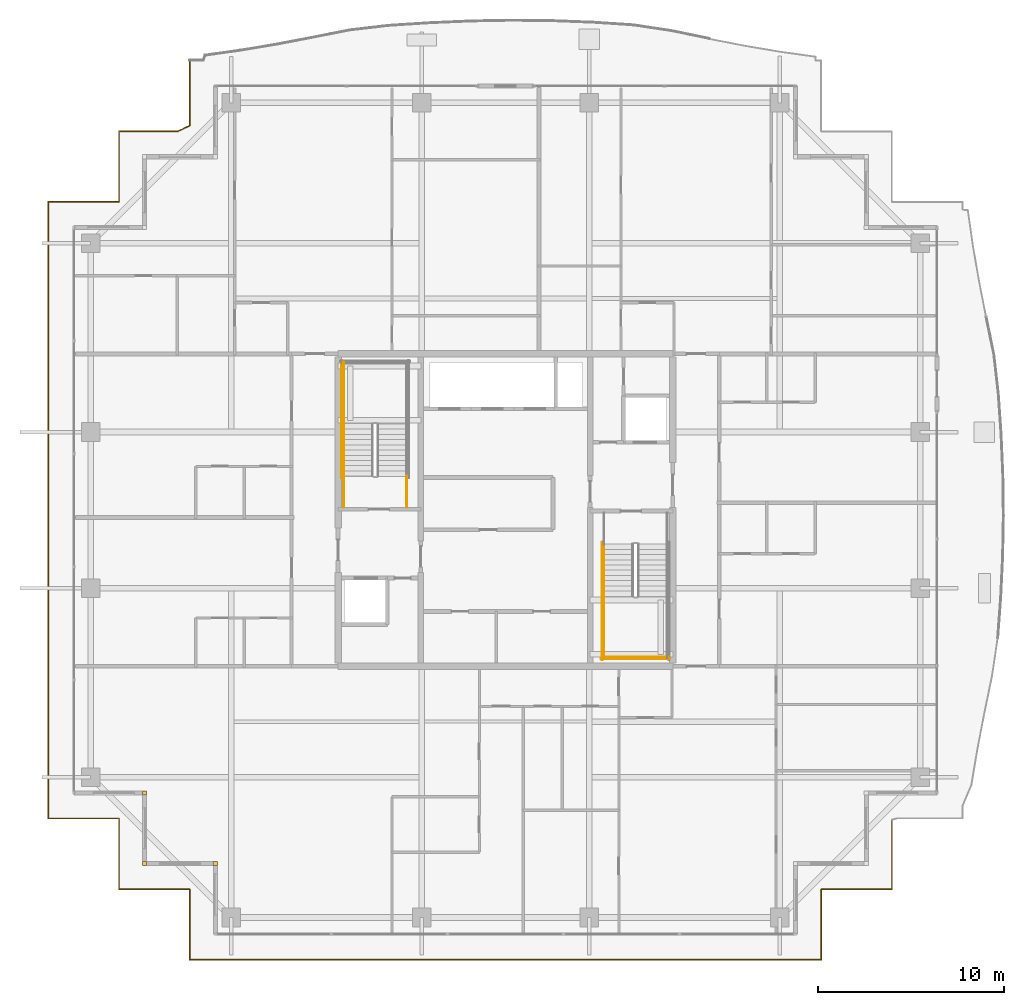
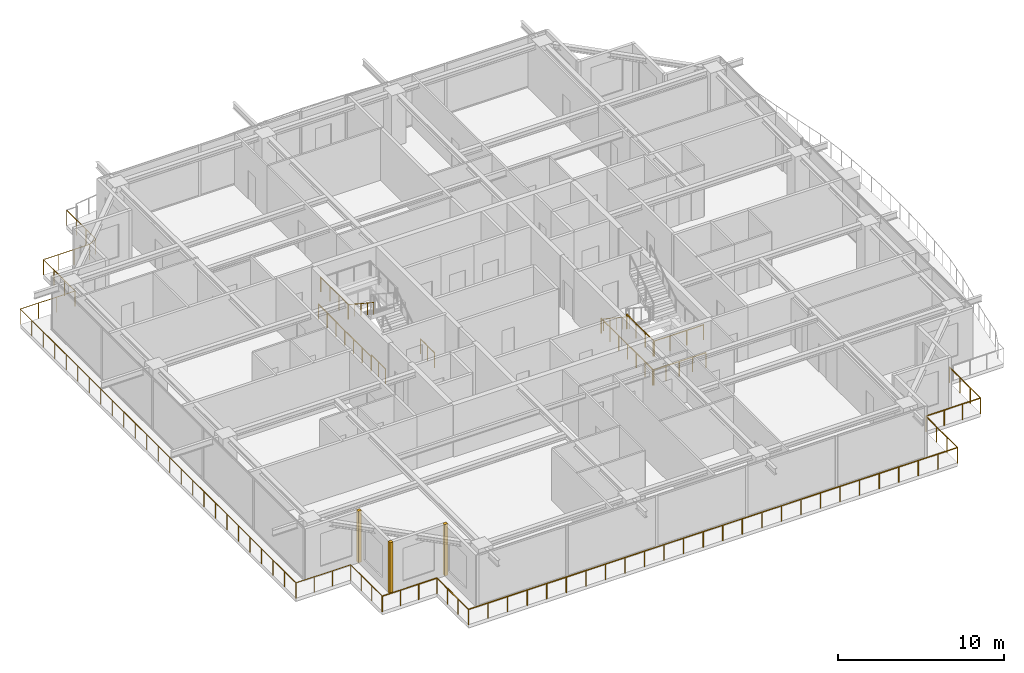
# One storey, part 35 of 39: 12 railings, 3 coverings.
"""IFC4 building model written with IfcOpenShell, lengths in metres."""

from ifc_helpers import new_model, si_unit, direction, frame, origin, origin_2d, place, context, subcontext, project, spatial, rectangle, circle, extrude, source, transform, mapped, material, layer, layer_set, type_object, element, save


model = new_model("IFC4")

# Units and contexts
model_context = context("Model", 3, precision=1e-05, world=origin(), true_north=direction((0.0, 1.0)))
body_context = subcontext(model_context, "Body", "Model", "MODEL_VIEW")
ifc_project = project(units=[si_unit("LENGTHUNIT", "METRE"), si_unit("AREAUNIT", "SQUARE_METRE"), si_unit("VOLUMEUNIT", "CUBIC_METRE"), si_unit("PLANEANGLEUNIT", "RADIAN"), si_unit("MASSUNIT", "GRAM", prefix="KILO")], contexts=[model_context])

# Site, building, storey
site_placement = place(None, origin())
site = spatial("IfcSite", under=ifc_project, at=site_placement, CompositionType="ELEMENT")
building_placement = place(site_placement, origin())
building = spatial("IfcBuilding", under=site, at=building_placement, Name="Serunith Strait Residences", CompositionType="ELEMENT")
storey_placement = place(building_placement, frame((0.0, 0.0, 329.89990234375)))
storey = spatial("IfcBuildingStorey", under=building, at=storey_placement, Name="L82", CompositionType="ELEMENT", Elevation=329.89990234375)

# Railings
ifc_material_1 = material(Name="Stainless Steel & Laminated Glass Balustrade", Category="steel")
railing_type_1 = type_object("IfcRailingType", Name="RLG-BALC-1150", PredefinedType="BALUSTRADE", material=ifc_material_1)
railing_1_placement = place(storey_placement, frame((53.179931640625, 8.547607421875, -0.0498046875)))
element("IfcRailing", 1, at=railing_1_placement, inside=storey, type_object=railing_type_1, Name="L82 Swirling Balcony Perimeter Balustrade 7", PredefinedType="BALUSTRADE", context=body_context, shape_type="SweptSolid", body=[
    extrude(circle(Radius=0.02392578125, at=origin_2d()), frame((0.0, -0.001953125, 1.1259765625), z_axis=(0.0, -1.0, 0.0), x_axis=(1.0, 0.0, 0.0)), (0.0, 0.0, 1.0), 3.7236328125),
    extrude(circle(Radius=0.02392578125, at=origin_2d()), frame((-0.001953125, -3.7275390625, 1.1259765625), z_axis=(-1.0, 0.0, 0.0), x_axis=(0.0, -1.0, 0.0)), (0.0, 0.0, 1.0), 3.783447265625),
    extrude(circle(Radius=0.02392578125, at=origin_2d()), frame((-3.800048828125, -3.734375, 1.1259765625), z_axis=(0.0, -1.0, 0.0), x_axis=(1.0, 0.0, 0.0)), (0.0, 0.0, 1.0), 3.791259765625),
    extrude(circle(Radius=0.02392578125, at=origin_2d()), frame((-3.802001953125, -7.527587890625, 1.1259765625), z_axis=(-1.0, 0.0, 0.0), x_axis=(0.0, -1.0, 0.0)), (0.0, 0.0, 1.0), 33.9560546875),
    extrude(circle(Radius=0.02392578125, at=origin_2d()), frame((-37.760009765625, -7.525634765625, 1.1259765625), z_axis=(0.0, 1.0, 0.0), x_axis=(-1.0, 0.0, 0.0)), (0.0, 0.0, 1.0), 3.796142578125),
    extrude(circle(Radius=0.02392578125, at=origin_2d()), frame((-37.761962890625, -3.7275390625, 1.1259765625), z_axis=(-1.0, 0.0, 0.0), x_axis=(0.0, -1.0, 0.0)), (0.0, 0.0, 1.0), 3.7958984375),
    extrude(circle(Radius=0.02099609375, at=origin_2d()), origin(), (0.0, 0.0, 1.0), 1.099853515625),
    extrude(circle(Radius=0.02099609375, at=origin_2d()), frame((0.0, -1.242431640625, 0.0)), (0.0, 0.0, 1.0), 1.099853515625),
    extrude(circle(Radius=0.02099609375, at=origin_2d()), frame((0.0, -2.485107421875, 0.0)), (0.0, 0.0, 1.0), 1.099853515625),
    extrude(circle(Radius=0.02099609375, at=origin_2d()), frame((0.0, -3.7275390625, 0.0)), (0.0, 0.0, 1.0), 1.099853515625),
    extrude(circle(Radius=0.02099609375, at=origin_2d()), frame((-1.262451171875, -3.7275390625, 0.0)), (0.0, 0.0, 1.0), 1.099853515625),
    extrude(circle(Radius=0.02099609375, at=origin_2d()), frame((-2.52490234375, -3.7275390625, 0.0)), (0.0, 0.0, 1.0), 1.099853515625),
    extrude(circle(Radius=0.02099609375, at=origin_2d()), frame((-3.800048828125, -3.732421875, 0.0)), (0.0, 0.0, 1.0), 1.099853515625),
    extrude(circle(Radius=0.02099609375, at=origin_2d()), frame((-3.800048828125, -4.99755859375, 0.0)), (0.0, 0.0, 1.0), 1.099853515625),
    extrude(circle(Radius=0.02099609375, at=origin_2d()), frame((-3.800048828125, -6.262451171875, 0.0)), (0.0, 0.0, 1.0), 1.099853515625),
    extrude(circle(Radius=0.02099609375, at=origin_2d()), frame((-3.800048828125, -7.527587890625, 0.0)), (0.0, 0.0, 1.0), 1.099853515625),
    extrude(circle(Radius=0.02099609375, at=origin_2d()), frame((-5.158447265625, -7.527587890625, 0.0)), (0.0, 0.0, 1.0), 1.099853515625),
    extrude(circle(Radius=0.02099609375, at=origin_2d()), frame((-6.516845703125, -7.527587890625, 0.0)), (0.0, 0.0, 1.0), 1.099853515625),
    extrude(circle(Radius=0.02099609375, at=origin_2d()), frame((-7.875244140625, -7.527587890625, 0.0)), (0.0, 0.0, 1.0), 1.099853515625),
    extrude(circle(Radius=0.02099609375, at=origin_2d()), frame((-9.233642578125, -7.527587890625, 0.0)), (0.0, 0.0, 1.0), 1.099853515625),
    extrude(circle(Radius=0.02099609375, at=origin_2d()), frame((-10.592041015625, -7.527587890625, 0.0)), (0.0, 0.0, 1.0), 1.099853515625),
    extrude(circle(Radius=0.02099609375, at=origin_2d()), frame((-11.950439453125, -7.527587890625, 0.0)), (0.0, 0.0, 1.0), 1.099853515625),
    extrude(circle(Radius=0.02099609375, at=origin_2d()), frame((-13.308837890625, -7.527587890625, 0.0)), (0.0, 0.0, 1.0), 1.099853515625),
    extrude(circle(Radius=0.02099609375, at=origin_2d()), frame((-14.667236328125, -7.527587890625, 0.0)), (0.0, 0.0, 1.0), 1.099853515625),
    extrude(circle(Radius=0.02099609375, at=origin_2d()), frame((-16.025634765625, -7.527587890625, 0.0)), (0.0, 0.0, 1.0), 1.099853515625),
    extrude(circle(Radius=0.02099609375, at=origin_2d()), frame((-17.384033203125, -7.527587890625, 0.0)), (0.0, 0.0, 1.0), 1.099853515625),
    extrude(circle(Radius=0.02099609375, at=origin_2d()), frame((-18.742431640625, -7.527587890625, 0.0)), (0.0, 0.0, 1.0), 1.099853515625),
    extrude(circle(Radius=0.02099609375, at=origin_2d()), frame((-20.100830078125, -7.527587890625, 0.0)), (0.0, 0.0, 1.0), 1.099853515625),
    extrude(circle(Radius=0.02099609375, at=origin_2d()), frame((-21.459228515625, -7.527587890625, 0.0)), (0.0, 0.0, 1.0), 1.099853515625),
    extrude(circle(Radius=0.02099609375, at=origin_2d()), frame((-22.817626953125, -7.527587890625, 0.0)), (0.0, 0.0, 1.0), 1.099853515625),
    extrude(circle(Radius=0.02099609375, at=origin_2d()), frame((-24.176025390625, -7.527587890625, 0.0)), (0.0, 0.0, 1.0), 1.099853515625),
    extrude(circle(Radius=0.02099609375, at=origin_2d()), frame((-25.534423828125, -7.527587890625, 0.0)), (0.0, 0.0, 1.0), 1.099853515625),
    extrude(circle(Radius=0.02099609375, at=origin_2d()), frame((-26.892822265625, -7.527587890625, 0.0)), (0.0, 0.0, 1.0), 1.099853515625),
    extrude(circle(Radius=0.02099609375, at=origin_2d()), frame((-28.251220703125, -7.527587890625, 0.0)), (0.0, 0.0, 1.0), 1.099853515625),
    extrude(circle(Radius=0.02099609375, at=origin_2d()), frame((-29.609619140625, -7.527587890625, 0.0)), (0.0, 0.0, 1.0), 1.099853515625),
    extrude(circle(Radius=0.02099609375, at=origin_2d()), frame((-30.968017578125, -7.527587890625, 0.0)), (0.0, 0.0, 1.0), 1.099853515625),
    extrude(circle(Radius=0.02099609375, at=origin_2d()), frame((-32.326416015625, -7.527587890625, 0.0)), (0.0, 0.0, 1.0), 1.099853515625),
    extrude(circle(Radius=0.02099609375, at=origin_2d()), frame((-33.684814453125, -7.527587890625, 0.0)), (0.0, 0.0, 1.0), 1.099853515625),
    extrude(circle(Radius=0.02099609375, at=origin_2d()), frame((-35.043212890625, -7.527587890625, 0.0)), (0.0, 0.0, 1.0), 1.099853515625),
    extrude(circle(Radius=0.02099609375, at=origin_2d()), frame((-36.401611328125, -7.527587890625, 0.0)), (0.0, 0.0, 1.0), 1.099853515625),
    extrude(circle(Radius=0.02099609375, at=origin_2d()), frame((-37.760009765625, -7.527587890625, 0.0)), (0.0, 0.0, 1.0), 1.099853515625),
    extrude(circle(Radius=0.02099609375, at=origin_2d()), frame((-37.760009765625, -6.260986328125, 0.0)), (0.0, 0.0, 1.0), 1.099853515625),
    extrude(circle(Radius=0.02099609375, at=origin_2d()), frame((-37.760009765625, -4.994140625, 0.0)), (0.0, 0.0, 1.0), 1.099853515625),
    extrude(circle(Radius=0.02099609375, at=origin_2d()), frame((-37.760009765625, -3.7275390625, 0.0)), (0.0, 0.0, 1.0), 1.099853515625),
    extrude(circle(Radius=0.02099609375, at=origin_2d()), frame((-39.026611328125, -3.7275390625, 0.0)), (0.0, 0.0, 1.0), 1.099853515625),
    extrude(circle(Radius=0.02099609375, at=origin_2d()), frame((-40.293212890625, -3.7275390625, 0.0)), (0.0, 0.0, 1.0), 1.099853515625),
    extrude(circle(Radius=0.02099609375, at=origin_2d()), frame((-41.559814453125, -3.7275390625, 0.0)), (0.0, 0.0, 1.0), 1.099853515625),
])
railing_2_placement = place(storey_placement, frame((11.6201171875, 4.820068359375, -0.0498046875)))
element("IfcRailing", 2, at=railing_2_placement, inside=storey, type_object=railing_type_1, Name="L82 Swirling Balcony Perimeter Balustrade 8", PredefinedType="BALUSTRADE", context=body_context, shape_type="SweptSolid", body=[
    extrude(circle(Radius=0.02392578125, at=origin_2d()), frame((0.0, 0.001953125, 1.1259765625), z_axis=(0.0, 1.0, 0.0), x_axis=(-1.0, 0.0, 0.0)), (0.0, 0.0, 1.0), 3.796142578125),
    extrude(circle(Radius=0.02392578125, at=origin_2d()), frame((-0.001953125, 3.800048828125, 1.1259765625), z_axis=(-1.0, 0.0, 0.0), x_axis=(0.0, -1.0, 0.0)), (0.0, 0.0, 1.0), 3.796142578125),
    extrude(circle(Radius=0.02392578125, at=origin_2d()), frame((-3.800048828125, 3.802001953125, 1.1259765625), z_axis=(0.0, 1.0, 0.0), x_axis=(-1.0, 0.0, 0.0)), (0.0, 0.0, 1.0), 33.156005859375),
    extrude(circle(Radius=0.02392578125, at=origin_2d()), frame((-3.798095703125, 36.9599609375, 1.1259765625), z_axis=(1.0, 0.0, 0.0), x_axis=(0.0, 1.0, 0.0)), (0.0, 0.0, 1.0), 3.796142578125),
    extrude(circle(Radius=0.02392578125, at=origin_2d()), frame((0.0, 36.9619140625, 1.1259765625), z_axis=(0.0, 1.0, 0.0), x_axis=(-1.0, 0.0, 0.0)), (0.0, 0.0, 1.0), 3.796142578125),
    extrude(circle(Radius=0.02392578125, at=origin_2d()), frame((0.001953125, 40.760009765625, 1.1259765625), z_axis=(1.0, 0.0, 0.0), x_axis=(0.0, 1.0, 0.0)), (0.0, 0.0, 1.0), 3.1845703125),
    extrude(circle(Radius=0.02392578125, at=origin_2d()), frame((3.190185546875, 40.7607421875, 1.1259765625), z_axis=(0.904728609508, 0.425988430755, 0.0), x_axis=(-0.425988430755, 0.904728609508, 0.0)), (0.0, 0.0, 1.0), 0.671630859375),
    extrude(circle(Radius=0.02392578125, at=origin_2d()), frame((3.7998046875, 41.0498046875, 1.1259765625), z_axis=(0.0, 1.0, 0.0), x_axis=(-1.0, 0.0, 0.0)), (0.0, 0.0, 1.0), 3.508056640625),
    extrude(circle(Radius=0.02099609375, at=origin_2d()), origin(), (0.0, 0.0, 1.0), 1.099853515625),
    extrude(circle(Radius=0.02099609375, at=origin_2d()), frame((0.0, 1.2666015625, 0.0)), (0.0, 0.0, 1.0), 1.099853515625),
    extrude(circle(Radius=0.02099609375, at=origin_2d()), frame((0.0, 2.533447265625, 0.0)), (0.0, 0.0, 1.0), 1.099853515625),
    extrude(circle(Radius=0.02099609375, at=origin_2d()), frame((0.0, 3.800048828125, 0.0)), (0.0, 0.0, 1.0), 1.099853515625),
    extrude(circle(Radius=0.02099609375, at=origin_2d()), frame((-1.2666015625, 3.800048828125, 0.0)), (0.0, 0.0, 1.0), 1.099853515625),
    extrude(circle(Radius=0.02099609375, at=origin_2d()), frame((-2.533447265625, 3.800048828125, 0.0)), (0.0, 0.0, 1.0), 1.099853515625),
    extrude(circle(Radius=0.02099609375, at=origin_2d()), frame((-3.800048828125, 3.800048828125, 0.0)), (0.0, 0.0, 1.0), 1.099853515625),
    extrude(circle(Radius=0.02099609375, at=origin_2d()), frame((-3.800048828125, 5.181640625, 0.0)), (0.0, 0.0, 1.0), 1.099853515625),
    extrude(circle(Radius=0.02099609375, at=origin_2d()), frame((-3.800048828125, 6.5634765625, 0.0)), (0.0, 0.0, 1.0), 1.099853515625),
    extrude(circle(Radius=0.02099609375, at=origin_2d()), frame((-3.800048828125, 7.945068359375, 0.0)), (0.0, 0.0, 1.0), 1.099853515625),
    extrude(circle(Radius=0.02099609375, at=origin_2d()), frame((-3.800048828125, 9.32666015625, 0.0)), (0.0, 0.0, 1.0), 1.099853515625),
    extrude(circle(Radius=0.02099609375, at=origin_2d()), frame((-3.800048828125, 10.708251953125, 0.0)), (0.0, 0.0, 1.0), 1.099853515625),
    extrude(circle(Radius=0.02099609375, at=origin_2d()), frame((-3.800048828125, 12.090087890625, 0.0)), (0.0, 0.0, 1.0), 1.099853515625),
    extrude(circle(Radius=0.02099609375, at=origin_2d()), frame((-3.800048828125, 13.4716796875, 0.0)), (0.0, 0.0, 1.0), 1.099853515625),
    extrude(circle(Radius=0.02099609375, at=origin_2d()), frame((-3.800048828125, 14.853271484375, 0.0)), (0.0, 0.0, 1.0), 1.099853515625),
    extrude(circle(Radius=0.02099609375, at=origin_2d()), frame((-3.800048828125, 16.235107421875, 0.0)), (0.0, 0.0, 1.0), 1.099853515625),
    extrude(circle(Radius=0.02099609375, at=origin_2d()), frame((-3.800048828125, 17.61669921875, 0.0)), (0.0, 0.0, 1.0), 1.099853515625),
    extrude(circle(Radius=0.02099609375, at=origin_2d()), frame((-3.800048828125, 18.998291015625, 0.0)), (0.0, 0.0, 1.0), 1.099853515625),
    extrude(circle(Radius=0.02099609375, at=origin_2d()), frame((-3.800048828125, 20.3798828125, 0.0)), (0.0, 0.0, 1.0), 1.099853515625),
    extrude(circle(Radius=0.02099609375, at=origin_2d()), frame((-3.800048828125, 21.76171875, 0.0)), (0.0, 0.0, 1.0), 1.099853515625),
    extrude(circle(Radius=0.02099609375, at=origin_2d()), frame((-3.800048828125, 23.143310546875, 0.0)), (0.0, 0.0, 1.0), 1.099853515625),
    extrude(circle(Radius=0.02099609375, at=origin_2d()), frame((-3.800048828125, 24.52490234375, 0.0)), (0.0, 0.0, 1.0), 1.099853515625),
    extrude(circle(Radius=0.02099609375, at=origin_2d()), frame((-3.800048828125, 25.90673828125, 0.0)), (0.0, 0.0, 1.0), 1.099853515625),
    extrude(circle(Radius=0.02099609375, at=origin_2d()), frame((-3.800048828125, 27.288330078125, 0.0)), (0.0, 0.0, 1.0), 1.099853515625),
    extrude(circle(Radius=0.02099609375, at=origin_2d()), frame((-3.800048828125, 28.669921875, 0.0)), (0.0, 0.0, 1.0), 1.099853515625),
    extrude(circle(Radius=0.02099609375, at=origin_2d()), frame((-3.800048828125, 30.0517578125, 0.0)), (0.0, 0.0, 1.0), 1.099853515625),
    extrude(circle(Radius=0.02099609375, at=origin_2d()), frame((-3.800048828125, 31.433349609375, 0.0)), (0.0, 0.0, 1.0), 1.099853515625),
    extrude(circle(Radius=0.02099609375, at=origin_2d()), frame((-3.800048828125, 32.81494140625, 0.0)), (0.0, 0.0, 1.0), 1.099853515625),
    extrude(circle(Radius=0.02099609375, at=origin_2d()), frame((-3.800048828125, 34.196533203125, 0.0)), (0.0, 0.0, 1.0), 1.099853515625),
    extrude(circle(Radius=0.02099609375, at=origin_2d()), frame((-3.800048828125, 35.578369140625, 0.0)), (0.0, 0.0, 1.0), 1.099853515625),
    extrude(circle(Radius=0.02099609375, at=origin_2d()), frame((-3.800048828125, 36.9599609375, 0.0)), (0.0, 0.0, 1.0), 1.099853515625),
    extrude(circle(Radius=0.02099609375, at=origin_2d()), frame((-2.533447265625, 36.9599609375, 0.0)), (0.0, 0.0, 1.0), 1.099853515625),
    extrude(circle(Radius=0.02099609375, at=origin_2d()), frame((-1.2666015625, 36.9599609375, 0.0)), (0.0, 0.0, 1.0), 1.099853515625),
    extrude(circle(Radius=0.02099609375, at=origin_2d()), frame((0.0, 36.9599609375, 0.0)), (0.0, 0.0, 1.0), 1.099853515625),
    extrude(circle(Radius=0.02099609375, at=origin_2d()), frame((0.0, 38.2265625, 0.0)), (0.0, 0.0, 1.0), 1.099853515625),
    extrude(circle(Radius=0.02099609375, at=origin_2d()), frame((0.0, 39.493408203125, 0.0)), (0.0, 0.0, 1.0), 1.099853515625),
    extrude(circle(Radius=0.02099609375, at=origin_2d()), frame((0.0, 40.760009765625, 0.0)), (0.0, 0.0, 1.0), 1.099853515625),
    extrude(circle(Radius=0.02099609375, at=origin_2d()), frame((1.062744140625, 40.760009765625, 0.0)), (0.0, 0.0, 1.0), 1.099853515625),
    extrude(circle(Radius=0.02099609375, at=origin_2d()), frame((2.125732421875, 40.760009765625, 0.0)), (0.0, 0.0, 1.0), 1.099853515625),
    extrude(circle(Radius=0.02099609375, at=origin_2d()), frame((3.1884765625, 40.760009765625, 0.0)), (0.0, 0.0, 1.0), 1.099853515625),
    extrude(circle(Radius=0.02099609375, at=origin_2d()), frame((3.7998046875, 41.0478515625, 0.0)), (0.0, 0.0, 1.0), 1.099853515625),
    extrude(circle(Radius=0.02099609375, at=origin_2d()), frame((3.7998046875, 42.218505859375, 0.0)), (0.0, 0.0, 1.0), 1.099853515625),
    extrude(circle(Radius=0.02099609375, at=origin_2d()), frame((3.7998046875, 43.38916015625, 0.0)), (0.0, 0.0, 1.0), 1.099853515625),
    extrude(circle(Radius=0.02099609375, at=origin_2d()), frame((3.7998046875, 44.559814453125, 0.0)), (0.0, 0.0, 1.0), 1.099853515625),
])
ifc_material_2 = material(Name="Brushed stainless steel 316L", Category="steel")
railing_type_2 = type_object("IfcRailingType", Name="RLG-STAIR-GUARD", PredefinedType="BALUSTRADE", material=ifc_material_2)
railing_3_placement = place(storey_placement, frame((23.699951171875, 29.830078125, 2.025146484375)))
element("IfcRailing", 3, at=railing_3_placement, inside=storey, type_object=railing_type_2, Name="L82 ST-1 stair guard 4", PredefinedType="BALUSTRADE", context=body_context, shape_type="SweptSolid", body=[
    extrude(circle(Radius=0.02392578125, at=origin_2d()), frame((0.0, 0.001953125, 1.076171875), z_axis=(0.0, 1.0, 0.0), x_axis=(-1.0, 0.0, 0.0)), (0.0, 0.0, 1.0), 3.31591796875),
    extrude(circle(Radius=0.02099609375, at=origin_2d()), origin(), (0.0, 0.0, 1.0), 1.050048828125),
    extrude(circle(Radius=0.02099609375, at=origin_2d()), frame((0.0, 1.106689453125, 0.0)), (0.0, 0.0, 1.0), 1.050048828125),
    extrude(circle(Radius=0.02099609375, at=origin_2d()), frame((0.0, 2.213134765625, 0.0)), (0.0, 0.0, 1.0), 1.050048828125),
    extrude(circle(Radius=0.02099609375, at=origin_2d()), frame((0.0, 3.31982421875, 0.0)), (0.0, 0.0, 1.0), 1.050048828125),
])
for number, where, name in (
    (4, (27.10009765625, 25.35009765625, 0.0), "L82 ST-1 stair guard 8"),
    (5, (23.699951171875, 25.35009765625, 0.0), "L82 ST-1 stair guard 9"),
):
    element("IfcRailing", number, at=place(storey_placement, frame(where)), inside=storey, type_object=railing_type_2, Name=name, PredefinedType="BALUSTRADE", context=body_context, shape_type="SweptSolid", body=[
        extrude(circle(Radius=0.02392578125, at=origin_2d()), frame((0.0, 0.001953125, 1.076171875), z_axis=(0.0, 1.0, 0.0), x_axis=(-1.0, 0.0, 0.0)), (0.0, 0.0, 1.0), 1.676025390625),
        extrude(circle(Radius=0.02099609375, at=origin_2d()), origin(), (0.0, 0.0, 1.0), 1.050048828125),
        extrude(circle(Radius=0.02099609375, at=origin_2d()), frame((0.0, 0.83984375, 0.0)), (0.0, 0.0, 1.0), 1.050048828125),
        extrude(circle(Radius=0.02099609375, at=origin_2d()), frame((0.0, 1.679931640625, 0.0)), (0.0, 0.0, 1.0), 1.050048828125),
    ])
railing_4_placement = place(storey_placement, frame((23.60009765625, 26.929931640625, 0.0)))
element("IfcRailing", 6, at=railing_4_placement, inside=storey, type_object=railing_type_2, Name="L82 ST-1 stair guard 11", PredefinedType="BALUSTRADE", context=body_context, shape_type="SweptSolid", body=[
    extrude(circle(Radius=0.02392578125, at=origin_2d()), frame((0.0, 0.001953125, 1.076171875), z_axis=(0.0, 1.0, 0.0), x_axis=(-1.0, 0.0, 0.0)), (0.0, 0.0, 1.0), 6.316162109375),
    extrude(circle(Radius=0.02099609375, at=origin_2d()), origin(), (0.0, 0.0, 1.0), 1.050048828125),
    extrude(circle(Radius=0.02099609375, at=origin_2d()), frame((0.0, 1.05322265625, 0.0)), (0.0, 0.0, 1.0), 1.050048828125),
    extrude(circle(Radius=0.02099609375, at=origin_2d()), frame((0.0, 2.106689453125, 0.0)), (0.0, 0.0, 1.0), 1.050048828125),
    extrude(circle(Radius=0.02099609375, at=origin_2d()), frame((0.0, 3.16015625, 0.0)), (0.0, 0.0, 1.0), 1.050048828125),
    extrude(circle(Radius=0.02099609375, at=origin_2d()), frame((0.0, 4.21337890625, 0.0)), (0.0, 0.0, 1.0), 1.050048828125),
    extrude(circle(Radius=0.02099609375, at=origin_2d()), frame((0.0, 5.2666015625, 0.0)), (0.0, 0.0, 1.0), 1.050048828125),
    extrude(circle(Radius=0.02099609375, at=origin_2d()), frame((0.0, 6.320068359375, 0.0)), (0.0, 0.0, 1.0), 1.050048828125),
])
railing_5_placement = place(storey_placement, frame((37.699951171875, 20.570068359375, 2.025146484375)))
element("IfcRailing", 7, at=railing_5_placement, inside=storey, type_object=railing_type_2, Name="L82 ST-2 stair guard 3", PredefinedType="BALUSTRADE", context=body_context, shape_type="SweptSolid", body=[
    extrude(circle(Radius=0.02392578125, at=origin_2d()), frame((0.0, -0.001953125, 1.076171875), z_axis=(0.0, -1.0, 0.0), x_axis=(1.0, 0.0, 0.0)), (0.0, 0.0, 1.0), 3.316162109375),
    extrude(circle(Radius=0.02099609375, at=origin_2d()), origin(), (0.0, 0.0, 1.0), 1.050048828125),
    extrude(circle(Radius=0.02099609375, at=origin_2d()), frame((0.0, -1.106689453125, 0.0)), (0.0, 0.0, 1.0), 1.050048828125),
    extrude(circle(Radius=0.02099609375, at=origin_2d()), frame((0.0, -2.21337890625, 0.0)), (0.0, 0.0, 1.0), 1.050048828125),
    extrude(circle(Radius=0.02099609375, at=origin_2d()), frame((0.0, -3.320068359375, 0.0)), (0.0, 0.0, 1.0), 1.050048828125),
])
railing_6_placement = place(storey_placement, frame((37.64990234375, 17.300048828125, 2.025146484375)))
element("IfcRailing", 8, at=railing_6_placement, inside=storey, type_object=railing_type_2, Name="L82 ST-2 stair guard 5", PredefinedType="BALUSTRADE", context=body_context, shape_type="SweptSolid", body=[
    extrude(circle(Radius=0.02392578125, at=origin_2d()), frame((0.001953125, 0.0, 1.076171875), z_axis=(1.0, 0.0, 0.0), x_axis=(0.0, 1.0, 0.0)), (0.0, 0.0, 1.0), 3.49609375),
    extrude(circle(Radius=0.02099609375, at=origin_2d()), origin(), (0.0, 0.0, 1.0), 1.050048828125),
    extrude(circle(Radius=0.02099609375, at=origin_2d()), frame((1.166748046875, 0.0, 0.0)), (0.0, 0.0, 1.0), 1.050048828125),
    extrude(circle(Radius=0.02099609375, at=origin_2d()), frame((2.333251953125, 0.0, 0.0)), (0.0, 0.0, 1.0), 1.050048828125),
    extrude(circle(Radius=0.02099609375, at=origin_2d()), frame((3.5, 0.0, 0.0)), (0.0, 0.0, 1.0), 1.050048828125),
])
railing_7_placement = place(storey_placement, frame((37.60009765625, 23.469970703125, 0.0)))
element("IfcRailing", 9, at=railing_7_placement, inside=storey, type_object=railing_type_2, Name="L82 ST-2 stair guard 10", PredefinedType="BALUSTRADE", context=body_context, shape_type="SweptSolid", body=[
    extrude(circle(Radius=0.02392578125, at=origin_2d()), frame((0.0, -0.001953125, 1.076171875), z_axis=(0.0, -1.0, 0.0), x_axis=(1.0, 0.0, 0.0)), (0.0, 0.0, 1.0), 6.316162109375),
    extrude(circle(Radius=0.02099609375, at=origin_2d()), origin(), (0.0, 0.0, 1.0), 1.050048828125),
    extrude(circle(Radius=0.02099609375, at=origin_2d()), frame((0.0, -1.05322265625, 0.0)), (0.0, 0.0, 1.0), 1.050048828125),
    extrude(circle(Radius=0.02099609375, at=origin_2d()), frame((0.0, -2.106689453125, 0.0)), (0.0, 0.0, 1.0), 1.050048828125),
    extrude(circle(Radius=0.02099609375, at=origin_2d()), frame((0.0, -3.16015625, 0.0)), (0.0, 0.0, 1.0), 1.050048828125),
    extrude(circle(Radius=0.02099609375, at=origin_2d()), frame((0.0, -4.21337890625, 0.0)), (0.0, 0.0, 1.0), 1.050048828125),
    extrude(circle(Radius=0.02099609375, at=origin_2d()), frame((0.0, -5.2666015625, 0.0)), (0.0, 0.0, 1.0), 1.050048828125),
    extrude(circle(Radius=0.02099609375, at=origin_2d()), frame((0.0, -6.320068359375, 0.0)), (0.0, 0.0, 1.0), 1.050048828125),
])
railing_8_placement = place(storey_placement, frame((37.550048828125, 17.199951171875, 0.0)))
element("IfcRailing", 10, at=railing_8_placement, inside=storey, type_object=railing_type_2, Name="L82 ST-2 stair guard 12", PredefinedType="BALUSTRADE", context=body_context, shape_type="SweptSolid", body=[
    extrude(circle(Radius=0.02392578125, at=origin_2d()), frame((0.001953125, 0.0, 1.076171875), z_axis=(1.0, 0.0, 0.0), x_axis=(0.0, 1.0, 0.0)), (0.0, 0.0, 1.0), 3.696044921875),
    extrude(circle(Radius=0.02099609375, at=origin_2d()), origin(), (0.0, 0.0, 1.0), 1.050048828125),
    extrude(circle(Radius=0.02099609375, at=origin_2d()), frame((0.925048828125, 0.0, 0.0)), (0.0, 0.0, 1.0), 1.050048828125),
    extrude(circle(Radius=0.02099609375, at=origin_2d()), frame((1.85009765625, 0.0, 0.0)), (0.0, 0.0, 1.0), 1.050048828125),
    extrude(circle(Radius=0.02099609375, at=origin_2d()), frame((2.77490234375, 0.0, 0.0)), (0.0, 0.0, 1.0), 1.050048828125),
    extrude(circle(Radius=0.02099609375, at=origin_2d()), frame((3.699951171875, 0.0, 0.0)), (0.0, 0.0, 1.0), 1.050048828125),
])
railing_type_3 = type_object("IfcRailingType", Name="RLG-STAIR-HR", PredefinedType="HANDRAIL", material=ifc_material_2)
for number, where, name in (
    (11, (23.699951171875, 29.830078125, 2.209228515625), "L82 ST-1 stair handrail 2"),
    (12, (37.699951171875, 23.3701171875, 0.18408203125), "L82 ST-2 stair handrail 1"),
):
    element("IfcRailing", number, at=place(storey_placement, frame(where)), inside=storey, type_object=railing_type_3, Name=name, PredefinedType="HANDRAIL", context=body_context, shape_type="SweptSolid", body=[
        extrude(circle(Radius=0.02392578125, at=origin_2d()), frame((0.0, -0.001708984375, 0.876953125), z_axis=(0.0, -0.83496096917, 0.550309167616), x_axis=(1.0, 0.0, 0.0)), (0.0, 0.0, 1.0), 3.684814453125),
        extrude(circle(Radius=0.02099609375, at=origin_2d()), origin(), (0.0, 0.0, 1.0), 0.849853515625),
        extrude(circle(Radius=0.02099609375, at=origin_2d()), frame((0.0, -0.77001953125, 0.507568359375)), (0.0, 0.0, 1.0), 0.849853515625),
        extrude(circle(Radius=0.02099609375, at=origin_2d()), frame((0.0, -1.5400390625, 1.01513671875)), (0.0, 0.0, 1.0), 0.849853515625),
        extrude(circle(Radius=0.02099609375, at=origin_2d()), frame((0.0, -2.31005859375, 1.5224609375)), (0.0, 0.0, 1.0), 0.849853515625),
        extrude(circle(Radius=0.02099609375, at=origin_2d()), frame((0.0, -3.080078125, 2.030029296875)), (0.0, 0.0, 1.0), 0.849853515625),
    ])

# Coverings
ifc_material_3 = material(Name="Pale-Champagne Anodised Aluminium", Category="aluminium")
ifc_layer = layer(ifc_material_3, 0.219970703125, Name="Pale-Champagne Anodised Aluminium")
ifc_layer_set = layer_set([ifc_layer], Name="Pale-Champagne Anodised Aluminium")
covering_type = type_object("IfcCoveringType", Name="COV-CORN-TRIM", PredefinedType="CLADDING", material=ifc_layer_set)
shared_shape = source(origin(), body_context, "Body", "SweptSolid", [
    extrude(rectangle(XDim=0.221923828125, YDim=0.221923828125, at=origin_2d()), origin(), (0.0, 0.0, 1.0), 3.77490234375),
])
for number, where, z_axis, x_axis, name in (
    (13, (13.0, 10.0, 0.000244140625), (0.0, 0.0, 1.0), (1.0, 0.0, 0.0), "L82 Girih Serrated Corner Trim Post 17"),
    (14, (13.0, 6.199951171875, 0.000244140625), (0.0, 0.0, 1.0), (1.0, 0.0, 0.0), "L82 Girih Serrated Corner Trim Post 18"),
    (15, (16.800048828125, 6.199951171875, 0.000244140625), (0.0, 0.0, 1.0), (1.0, 0.0, 0.0), "L82 Girih Serrated Corner Trim Post 19"),
):
    element("IfcCovering", number, at=place(storey_placement, frame(where, z_axis=z_axis, x_axis=x_axis)), inside=storey, type_object=covering_type, Name=name, PredefinedType="CLADDING", context=body_context, shape_type="MappedRepresentation", body=[
        mapped(shared_shape, transform((0.0, 0.0, 0.0), scale=1.0)),
    ])

save(model, "model.ifc")
